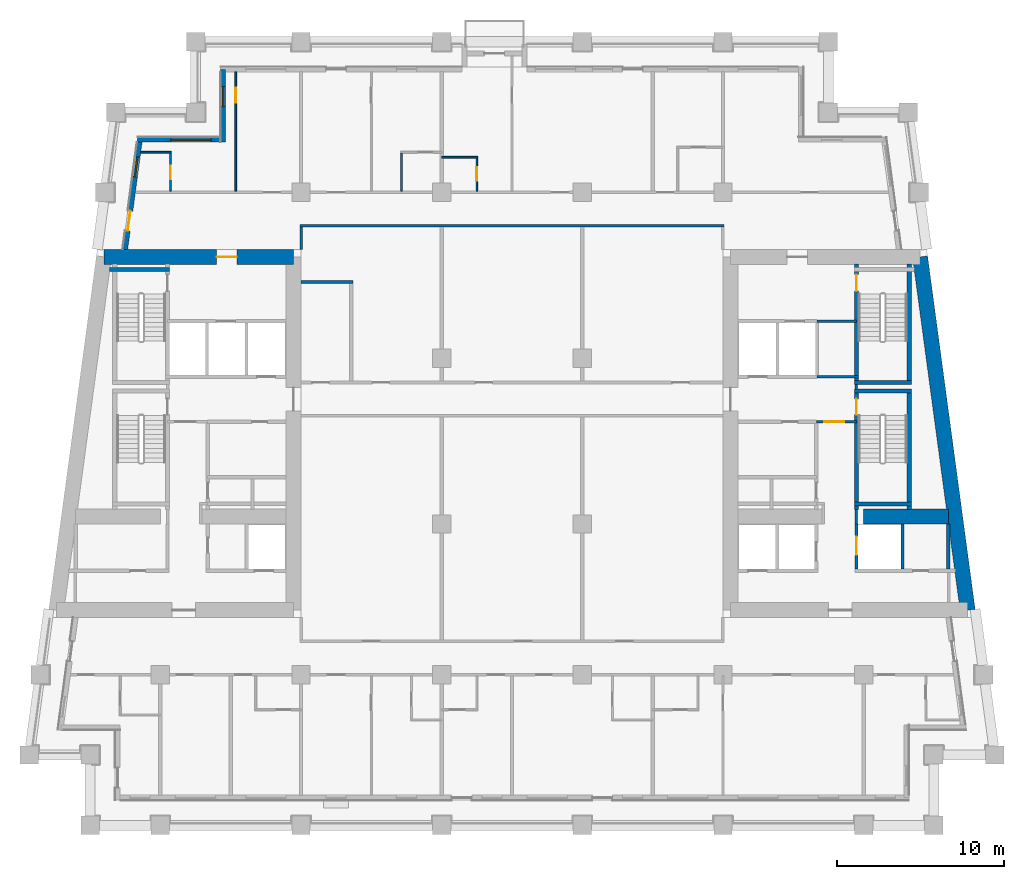
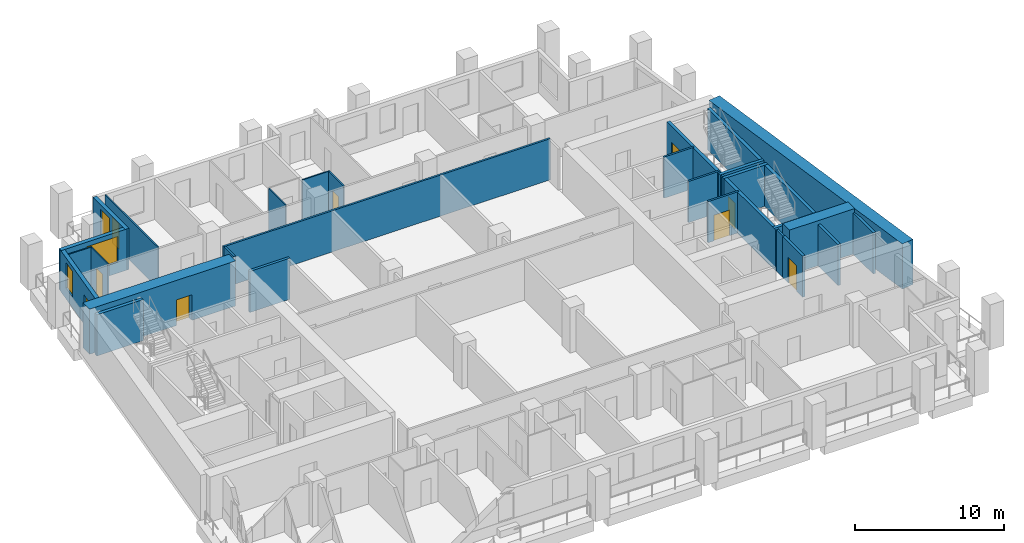
# One storey, part 6 of 13: 31 walls, 9 doors, 3 windows, 12 openings.
"""IFC4 building model written with IfcOpenShell, lengths in metres."""

import ifcopenshell
import ifcopenshell.guid

model = None  # the IFC model being written
_history = None  # IfcOwnerHistory: only IFC2X3 demands one
_inside = {}  # id of a spatial element -> (the spatial element, [elements in it])
_under = {}  # id of a project, library or spatial element -> (it, [spatial elements below it])
_declared = {}  # id of a project -> (the project, [libraries it declares])
_typed = {}  # id of a type object -> (the type object, [elements of that type])
_made_of = {}  # id of a material, layer set ... -> (it, [elements and type objects made of it])


def new_model(schema):
    """Start an empty IFC model of exactly this schema.

    Asked for "IFC4X3", IfcOpenShell would pick the latest addendum, in which some entities
    have other attributes; the version numbers below select the first issue.
    IFC2X3 requires an IfcOwnerHistory on every rooted entity: one is made here for all.
    """
    global model, _history
    if schema == "IFC4X3":
        model = ifcopenshell.file(schema_version=(4, 3, 0, 0))
    else:
        model = ifcopenshell.file(schema=schema)
    _inside.clear()
    _under.clear()
    _declared.clear()
    _typed.clear()
    _made_of.clear()
    _history = None
    if model.schema == "IFC2X3":
        org = make("IfcOrganization", Name="unknown")
        user = make(
            "IfcPersonAndOrganization",
            ThePerson=make("IfcPerson", FamilyName="unknown"),
            TheOrganization=org,
        )
        app = make(
            "IfcApplication",
            ApplicationDeveloper=org,
            Version="unknown",
            ApplicationFullName="unknown",
            ApplicationIdentifier="unknown",
        )
        _history = make(
            "IfcOwnerHistory",
            OwningUser=user,
            OwningApplication=app,
            ChangeAction="ADDED",
            CreationDate=0,
        )
    return model


def make(cls, **values):
    """One entity of the class cls with the attributes given. An attribute that is None is left unset."""
    return model.create_entity(
        cls, **{name: value for name, value in values.items() if value is not None}
    )


def rooted(cls, **values):
    """An entity with a GlobalId (a new one), such as an element, a storey or a relation."""
    return make(cls, GlobalId=ifcopenshell.guid.new(), OwnerHistory=_history, **values)


def si_unit(unit_type, name, prefix=None):
    """IfcSIUnit, for example si_unit("LENGTHUNIT", "METRE", prefix="MILLI")."""
    return make("IfcSIUnit", UnitType=unit_type, Prefix=prefix, Name=name)


def assignment(units):
    """IfcUnitAssignment: the units of a project."""
    return None if units is None else make("IfcUnitAssignment", Units=units)


def point(xyz):
    """IfcCartesianPoint."""
    return None if xyz is None else make("IfcCartesianPoint", Coordinates=xyz)


def direction(xyz):
    """IfcDirection."""
    return None if xyz is None else make("IfcDirection", DirectionRatios=xyz)


def frame(location, z_axis=None, x_axis=None):
    """IfcAxis2Placement3D, a coordinate frame: its origin and axes. An axis left out is left unset."""
    return make(
        "IfcAxis2Placement3D",
        Location=point(location),
        Axis=direction(z_axis),
        RefDirection=direction(x_axis),
    )


def frame_2d(location, x_axis=None):
    """IfcAxis2Placement2D, a coordinate frame in the plane: its origin and x axis."""
    return make(
        "IfcAxis2Placement2D", Location=point(location), RefDirection=direction(x_axis)
    )


def origin():
    """The frame at (0, 0, 0) with its axes left unset."""
    return frame((0.0, 0.0, 0.0))


def place(relative_to, where):
    """IfcLocalPlacement: puts the frame where relative to a parent placement (None: the world)."""
    return make(
        "IfcLocalPlacement", PlacementRelTo=relative_to, RelativePlacement=where
    )


def context(
    kind, dimensions, precision=None, world=None, true_north=None, identifier=None
):
    """IfcGeometricRepresentationContext, for example the 3D "Model" context."""
    return make(
        "IfcGeometricRepresentationContext",
        ContextIdentifier=identifier,
        ContextType=kind,
        CoordinateSpaceDimension=dimensions,
        Precision=precision,
        WorldCoordinateSystem=world,
        TrueNorth=true_north,
    )


def subcontext(parent, identifier, kind, view, scale=None):
    """IfcGeometricRepresentationSubContext, for example "Body" below "Model"."""
    return make(
        "IfcGeometricRepresentationSubContext",
        ContextIdentifier=identifier,
        ContextType=kind,
        ParentContext=parent,
        TargetScale=scale,
        TargetView=view,
    )


def project(units=None, contexts=None):
    """IfcProject with its units and contexts."""
    return rooted(
        "IfcProject",
        Name="project",
        RepresentationContexts=contexts,
        UnitsInContext=assignment(units),
    )


def spatial(cls, under=None, at=None, **own):
    """A site, building, storey or space (cls), placed at a placement, below another one or the project."""
    s = rooted(cls, ObjectPlacement=at, **own)
    if under is not None:
        _under.setdefault(under.id(), (under, []))[1].append(s)
    return s


def profile(cls, at=None, kind="AREA", **sizes):
    """A parametric profile (cls). Its sizes go by their IFC names, for example OverallWidth=200.0."""
    return make(cls, ProfileType=kind, Position=at, **sizes)


def rectangle(**sizes):
    """IfcRectangleProfileDef."""
    return profile("IfcRectangleProfileDef", **sizes)


def extrude(swept, where, along, depth):
    """IfcExtrudedAreaSolid: the profile swept, set in the frame where, extruded along a direction by depth."""
    return make(
        "IfcExtrudedAreaSolid",
        SweptArea=swept,
        Position=where,
        ExtrudedDirection=direction(along),
        Depth=depth,
    )


def shape(context_of_items, identifier, shape_type, items):
    """IfcShapeRepresentation: the items that make up one representation, for example the "Body"."""
    return make(
        "IfcShapeRepresentation",
        ContextOfItems=context_of_items,
        RepresentationIdentifier=identifier,
        RepresentationType=shape_type,
        Items=items,
    )


def material(Name=None, Category=None):
    """IfcMaterial."""
    return make("IfcMaterial", Name=Name, Category=Category)


def layer(
    of_material, thickness, ventilated=None, Name=None, Category=None, Priority=None
):
    """IfcMaterialLayer: one layer of a wall or slab, of a material (None: an air gap)."""
    return make(
        "IfcMaterialLayer",
        Material=of_material,
        LayerThickness=thickness,
        IsVentilated=ventilated,
        Name=Name,
        Category=Category,
        Priority=Priority,
    )


def layer_set(layers, Name=None):
    """IfcMaterialLayerSet."""
    return make("IfcMaterialLayerSet", MaterialLayers=layers, LayerSetName=Name)


def made_of(thing, what):
    """Note that an element or type object is made of a material, layer set ...; save() writes the relation."""
    if what is not None:
        _made_of.setdefault(what.id(), (what, []))[1].append(thing)
    return thing


def type_object(cls, material=None, **own):
    """A type object (cls), such as IfcWallType, which elements share."""
    return made_of(rooted(cls, **own), material)


def element(
    cls,
    number,
    at=None,
    inside=None,
    cuts=None,
    type_object=None,
    material=None,
    context=None,
    identifier="Body",
    shape_type=None,
    held_by="IfcProductDefinitionShape",
    body=None,
    shapes=None,
    **own,
):
    """One element of the class cls, such as IfcWall. Its Tag is "e" and its number.

    at: its placement. inside: the storey or other place that contains it. cuts: it is an
    opening in that element (IfcRelVoidsElement). A single representation is given by context,
    identifier, shape_type and body (its items); several are given by shapes. held_by: the class
    of the entity that holds the representations. save() writes the other relations.
    """
    e = rooted(cls, Tag="e%d" % number, ObjectPlacement=at, **own)
    if body is not None:
        shapes = [shape(context, identifier, shape_type, body)]
    if shapes is not None:
        e.Representation = make(held_by, Representations=shapes)
    if inside is not None:
        _inside.setdefault(inside.id(), (inside, []))[1].append(e)
    if cuts is not None:
        rooted(
            "IfcRelVoidsElement", RelatingBuildingElement=cuts, RelatedOpeningElement=e
        )
    if type_object is not None:
        _typed.setdefault(type_object.id(), (type_object, []))[1].append(e)
    return made_of(e, material)


def fill(opening, filler):
    """IfcRelFillsElement: the door or window that sits in an opening."""
    return rooted(
        "IfcRelFillsElement",
        RelatingOpeningElement=opening,
        RelatedBuildingElement=filler,
    )


def aggregate(whole, parts):
    """IfcRelAggregates: a whole, such as a stair, and the parts it consists of."""
    return rooted("IfcRelAggregates", RelatingObject=whole, RelatedObjects=parts)


def save(model, path):
    """Write the relations noted so far, then the file.

    IfcRelAggregates (storeys below a building ...), IfcRelContainedInSpatialStructure (elements
    in a storey), IfcRelDefinesByType, IfcRelAssociatesMaterial and IfcRelDeclares: one each for
    every whole, place, type object, material and project.
    """
    for whole, parts in _under.values():
        aggregate(whole, parts)
    for where, things in _inside.values():
        rooted(
            "IfcRelContainedInSpatialStructure",
            RelatedElements=things,
            RelatingStructure=where,
        )
    for kind, things in _typed.values():
        rooted("IfcRelDefinesByType", RelatedObjects=things, RelatingType=kind)
    for what, things in _made_of.values():
        rooted("IfcRelAssociatesMaterial", RelatedObjects=things, RelatingMaterial=what)
    for by, libraries in _declared.values():
        rooted("IfcRelDeclares", RelatingContext=by, RelatedDefinitions=libraries)
    model.write(path)


model = new_model("IFC4")

# Units and contexts
model_context = context("Model", 3, precision=1e-05, world=origin(), true_north=direction((0.0, 1.0)))
body_context = subcontext(model_context, "Body", "Model", "MODEL_VIEW")
ifc_project = project(units=[si_unit("LENGTHUNIT", "METRE"), si_unit("AREAUNIT", "SQUARE_METRE"), si_unit("VOLUMEUNIT", "CUBIC_METRE"), si_unit("PLANEANGLEUNIT", "RADIAN"), si_unit("MASSUNIT", "GRAM", prefix="KILO")], contexts=[model_context])

# Site, building, storey
site_placement = place(None, origin())
site = spatial("IfcSite", under=ifc_project, at=site_placement, CompositionType="ELEMENT")
building_placement = place(site_placement, origin())
building = spatial("IfcBuilding", under=site, at=building_placement, Name="Candeia Pilgrim Tower and Theatre", CompositionType="ELEMENT")
storey_placement = place(building_placement, frame((0.0, 0.0, 170.0)))
storey = spatial("IfcBuildingStorey", under=building, at=storey_placement, Name="L40", CompositionType="ELEMENT", Elevation=170.0)

# Wall, opening, door
ifc_material_1 = material(Name="Concrete C60/75", Category="concrete")
ifc_layer_1 = layer(ifc_material_1, 0.89990234375)
ifc_layer_set_1 = layer_set([ifc_layer_1], Name="Core wall 900 C60/75")
wall_type_1 = type_object("IfcWallType", Name="Core wall 900 C60/75", PredefinedType="SHEAR", material=ifc_layer_set_1)
wall_1_placement = place(storey_placement, frame((89.024169921875, 131.949951171875, 0.0), z_axis=(0.0, 0.0, 1.0), x_axis=(1.0, 0.0, 0.0)))
wall_1 = element("IfcWall", 1, at=wall_1_placement, inside=storey, type_object=wall_type_1, Name="Core wall W1", PredefinedType="SHEAR", context=body_context, shape_type="SweptSolid", body=[
    extrude(rectangle(XDim=11.325927734375, YDim=0.89990234375, at=frame_2d((5.6630859375, 0.0))), origin(), (0.0, 0.0, 1.0), 3.699951171875),
])
opening_1_placement = place(wall_1_placement, frame((6.7392578125, 0.0, 0.0)))
opening_1 = element("IfcOpeningElement", 2, at=opening_1_placement, cuts=wall_1, Name="Opening L40-D051", PredefinedType="OPENING", context=body_context, shape_type="SweptSolid", body=[
    extrude(rectangle(XDim=1.199951171875, YDim=2.10009765625, at=frame_2d((0.60009765625, 1.050048828125))), frame((0.0, 0.4599609375, 0.0), z_axis=(0.0, -1.0, 0.0), x_axis=(1.0, 0.0, 0.0)), (0.0, 0.0, 1.0), 0.919921875),
])
ifc_material_2 = material(Name="Steel fire door set", Category="steel")
door_type_1 = type_object("IfcDoorType", Name="D-1200-FD60", OperationType="NOTDEFINED", PredefinedType="DOOR", material=ifc_material_2)
door_1_placement = place(opening_1_placement, origin())
door_1 = element("IfcDoor", 3, at=door_1_placement, inside=storey, type_object=door_type_1, Name="Door L40-D051", OperationType="SINGLE_SWING_LEFT", OverallHeight=2.10009765625, OverallWidth=1.199951171875, PredefinedType="DOOR", context=body_context, shape_type="SweptSolid", body=[
    extrude(rectangle(XDim=1.199951171875, YDim=2.10009765625, at=frame_2d((0.60009765625, 1.050048828125))), frame((0.0, 0.02490234375, 0.0), z_axis=(0.0, -1.0, 0.0), x_axis=(1.0, 0.0, 0.0)), (0.0, 0.0, 1.0), 0.050048828125),
])
fill(opening_1, door_1)

# Walls
wall_2_placement = place(storey_placement, frame((137.775634765625, 131.949951171875, 0.0), z_axis=(0.0, 0.0, 1.0), x_axis=(0.133421759112, -0.991059349482, 0.0)))
element("IfcWall", 4, at=wall_2_placement, inside=storey, type_object=wall_type_1, Name="Core wall E2", PredefinedType="SHEAR", context=body_context, shape_type="SweptSolid", body=[
    extrude(rectangle(XDim=21.290283203125, YDim=0.89990234375, at=frame_2d((10.64501953125, 0.0))), origin(), (0.0, 0.0, 1.0), 3.699951171875),
])
wall_3_placement = place(storey_placement, frame((134.39990234375, 116.449951171875, 0.0), z_axis=(0.0, 0.0, 1.0), x_axis=(1.0, 0.0, 0.0)))
element("IfcWall", 5, at=wall_3_placement, inside=storey, type_object=wall_type_1, Name="Core wall E6", PredefinedType="SHEAR", context=body_context, shape_type="SweptSolid", body=[
    extrude(rectangle(XDim=5.076904296875, YDim=0.89990234375, at=frame_2d((2.53857421875, 0.0))), origin(), (0.0, 0.0, 1.0), 3.699951171875),
])

# Wall, opening, window
ifc_material_3 = material(Name="Ceramic block masonry", Category="masonry")
ifc_layer_2 = layer(ifc_material_3, 0.300048828125)
ifc_layer_set_2 = layer_set([ifc_layer_2], Name="EW1 glazing-line wall 300")
wall_type_2 = type_object("IfcWallType", Name="EW1 glazing-line wall 300", PredefinedType="SOLIDWALL", material=ifc_layer_set_2)
wall_4_placement = place(storey_placement, frame((96.14990234375, 143.14990234375, 0.0), z_axis=(0.0, 0.0, 1.0), x_axis=(0.0, -1.0, 0.0)))
wall_4 = element("IfcWall", 6, at=wall_4_placement, inside=storey, type_object=wall_type_2, Name="External wall L40-7.0", PredefinedType="SOLIDWALL", context=body_context, shape_type="SweptSolid", body=[
    extrude(rectangle(XDim=4.349853515625, YDim=0.300048828125, at=frame_2d((2.1748046875, 0.0))), origin(), (0.0, 0.0, 1.0), 3.3798828125),
])
opening_2_placement = place(wall_4_placement, frame((1.02490234375, 0.0, 0.89990234375)))
opening_2 = element("IfcOpeningElement", 7, at=opening_2_placement, cuts=wall_4, Name="Opening W-B", PredefinedType="OPENING", context=body_context, shape_type="SweptSolid", body=[
    extrude(rectangle(XDim=1.199951171875, YDim=2.10009765625, at=frame_2d((0.60009765625, 1.050048828125))), frame((0.0, 0.16015625, 0.0), z_axis=(0.0, -1.0, 0.0), x_axis=(1.0, 0.0, 0.0)), (0.0, 0.0, 1.0), 0.320068359375),
])
ifc_material_4 = material(Name="Aluminium framed double glazing", Category="aluminium")
window_type_1 = type_object("IfcWindowType", Name="W-B window 1200x2100", PartitioningType="SINGLE_PANEL", PredefinedType="WINDOW", material=ifc_material_4)
window_1_placement = place(opening_2_placement, origin())
window_1 = element("IfcWindow", 8, at=window_1_placement, inside=storey, type_object=window_type_1, Name="Window W-B L40", OverallHeight=2.10009765625, OverallWidth=1.199951171875, PartitioningType="SINGLE_PANEL", PredefinedType="WINDOW", context=body_context, shape_type="SweptSolid", body=[
    extrude(rectangle(XDim=1.199951171875, YDim=2.10009765625, at=frame_2d((0.60009765625, 1.050048828125))), frame((0.0, 0.030029296875, 0.0), z_axis=(0.0, -1.0, 0.0), x_axis=(1.0, 0.0, 0.0)), (0.0, 0.0, 1.0), 0.06005859375),
])
fill(opening_2, window_1)

wall_5_placement = place(storey_placement, frame((96.14990234375, 138.949951171875, 0.0), z_axis=(0.0, 0.0, 1.0), x_axis=(-1.0, 0.0, 0.0)))
wall_5 = element("IfcWall", 9, at=wall_5_placement, inside=storey, type_object=wall_type_2, Name="External wall L40-8.0", PredefinedType="SOLIDWALL", context=body_context, shape_type="SweptSolid", body=[
    extrude(rectangle(XDim=5.103759765625, YDim=0.300048828125, at=frame_2d((2.5517578125, 0.0))), origin(), (0.0, 0.0, 1.0), 3.3798828125),
])
opening_3_placement = place(wall_5_placement, frame((0.72509765625, 0.0, 0.89990234375)))
opening_3 = element("IfcOpeningElement", 10, at=opening_3_placement, cuts=wall_5, Name="Opening W-A", PredefinedType="OPENING", context=body_context, shape_type="SweptSolid", body=[
    extrude(rectangle(XDim=2.39990234375, YDim=2.10009765625, at=frame_2d((1.199951171875, 1.050048828125))), frame((0.0, 0.16015625, 0.0), z_axis=(0.0, -1.0, 0.0), x_axis=(1.0, 0.0, 0.0)), (0.0, 0.0, 1.0), 0.320068359375),
])
window_type_2 = type_object("IfcWindowType", Name="W-A window 2400x2100", PartitioningType="DOUBLE_PANEL_VERTICAL", PredefinedType="WINDOW", material=ifc_material_4)
window_2_placement = place(opening_3_placement, origin())
window_2 = element("IfcWindow", 11, at=window_2_placement, inside=storey, type_object=window_type_2, Name="Window W-A L40", OverallHeight=2.10009765625, OverallWidth=2.39990234375, PartitioningType="SINGLE_PANEL", PredefinedType="WINDOW", context=body_context, shape_type="SweptSolid", body=[
    extrude(rectangle(XDim=2.39990234375, YDim=2.10009765625, at=frame_2d((1.199951171875, 1.050048828125))), frame((0.0, 0.030029296875, 0.0), z_axis=(0.0, -1.0, 0.0), x_axis=(1.0, 0.0, 0.0)), (0.0, 0.0, 1.0), 0.06005859375),
])
fill(opening_3, window_2)

# Wall, openings, door, window
wall_6_placement = place(storey_placement, frame((91.177490234375, 138.949951171875, 0.0), z_axis=(0.0, 0.0, 1.0), x_axis=(-0.133426664613, -0.991058689065, 0.0)))
wall_6 = element("IfcWall", 12, at=wall_6_placement, inside=storey, type_object=wall_type_2, Name="External wall L40-9.0", PredefinedType="SOLIDWALL", context=body_context, shape_type="SweptSolid", body=[
    extrude(rectangle(XDim=6.609130859375, YDim=0.300048828125, at=frame_2d((3.3046875, 0.0))), origin(), (0.0, 0.0, 1.0), 3.3798828125),
])
opening_4_placement = place(wall_6_placement, frame((1.039306640625, 0.0, 0.89990234375)))
opening_4 = element("IfcOpeningElement", 13, at=opening_4_placement, cuts=wall_6, Name="Opening W-B", PredefinedType="OPENING", context=body_context, shape_type="SweptSolid", body=[
    extrude(rectangle(XDim=1.199951171875, YDim=2.10009765625, at=frame_2d((0.60009765625, 1.050048828125))), frame((0.0, 0.16015625, 0.0), z_axis=(0.0, -1.0, 0.0), x_axis=(1.0, 0.0, 0.0)), (0.0, 0.0, 1.0), 0.320068359375),
])
opening_5_placement = place(wall_6_placement, frame((4.293701171875, 0.0, 0.0)))
opening_5 = element("IfcOpeningElement", 14, at=opening_5_placement, cuts=wall_6, Name="Opening L40-ED389", PredefinedType="OPENING", context=body_context, shape_type="SweptSolid", body=[
    extrude(rectangle(XDim=1.199951171875, YDim=2.39990234375, at=frame_2d((0.60009765625, 1.199951171875))), frame((0.0, 0.16015625, 0.0), z_axis=(0.0, -1.0, 0.0), x_axis=(1.0, 0.0, 0.0)), (0.0, 0.0, 1.0), 0.320068359375),
])
ifc_material_5 = material(Name="Aluminium framed glazed door", Category="aluminium")
door_type_2 = type_object("IfcDoorType", Name="Loggia door 1200x2400", OperationType="DOUBLE_DOOR_SINGLE_SWING", PredefinedType="DOOR", material=ifc_material_5)
door_2_placement = place(opening_5_placement, origin())
door_2 = element("IfcDoor", 15, at=door_2_placement, inside=storey, type_object=door_type_2, Name="Loggia door L40-ED389", OperationType="DOUBLE_DOOR_SINGLE_SWING", OverallHeight=2.39990234375, OverallWidth=1.199951171875, PredefinedType="DOOR", context=body_context, shape_type="SweptSolid", body=[
    extrude(rectangle(XDim=1.199951171875, YDim=2.39990234375, at=frame_2d((0.60009765625, 1.199951171875))), frame((0.0, 0.02490234375, 0.0), z_axis=(0.0, -1.0, 0.0), x_axis=(1.0, 0.0, 0.0)), (0.0, 0.0, 1.0), 0.050048828125),
])
fill(opening_5, door_2)
window_3_placement = place(opening_4_placement, origin())
window_3 = element("IfcWindow", 16, at=window_3_placement, inside=storey, type_object=window_type_1, Name="Window W-B L40", OverallHeight=2.10009765625, OverallWidth=1.199951171875, PartitioningType="SINGLE_PANEL", PredefinedType="WINDOW", context=body_context, shape_type="SweptSolid", body=[
    extrude(rectangle(XDim=1.199951171875, YDim=2.10009765625, at=frame_2d((0.60009765625, 1.050048828125))), frame((0.0, 0.030029296875, 0.0), z_axis=(0.0, -1.0, 0.0), x_axis=(1.0, 0.0, 0.0)), (0.0, 0.0, 1.0), 0.06005859375),
])
fill(opening_4, window_3)

# Walls
ifc_material_6 = material(Name="Gypsum board partition on steel studs", Category="steel")
ifc_layer_3 = layer(ifc_material_6, 0.10009765625)
ifc_layer_set_3 = layer_set([ifc_layer_3], Name="PW-100 room partition")
wall_type_3 = type_object("IfcWallType", Name="PW-100 room partition", PredefinedType="PARTITIONING", material=ifc_layer_set_3)
wall_7_placement = place(storey_placement, frame((109.199951171875, 137.89990234375, 0.0), z_axis=(0.0, 0.0, 1.0), x_axis=(1.0, 0.0, 0.0)))
element("IfcWall", 17, at=wall_7_placement, inside=storey, type_object=wall_type_3, Name="Room partition L40-043", PredefinedType="PARTITIONING", context=body_context, shape_type="SweptSolid", body=[
    extrude(rectangle(XDim=2.150146484375, YDim=0.10009765625, at=frame_2d((1.0751953125, 0.0))), origin(), (0.0, 0.0, 1.0), 3.3798828125),
])
wall_8_placement = place(storey_placement, frame((91.2177734375, 138.199951171875, 0.0), z_axis=(0.0, 0.0, 1.0), x_axis=(1.0, 0.0, 0.0)))
element("IfcWall", 18, at=wall_8_placement, inside=storey, type_object=wall_type_3, Name="Room partition L40-044", PredefinedType="PARTITIONING", context=body_context, shape_type="SweptSolid", body=[
    extrude(rectangle(XDim=1.832275390625, YDim=0.10009765625, at=frame_2d((0.916015625, 0.0))), origin(), (0.0, 0.0, 1.0), 3.3798828125),
])

# Wall, opening, door
wall_9_placement = place(storey_placement, frame((93.0, 135.875, 0.0), z_axis=(0.0, 0.0, 1.0), x_axis=(0.0, 1.0, 0.0)))
wall_9 = element("IfcWall", 19, at=wall_9_placement, inside=storey, type_object=wall_type_3, Name="Room partition L40-058", PredefinedType="PARTITIONING", context=body_context, shape_type="SweptSolid", body=[
    extrude(rectangle(XDim=2.27490234375, YDim=0.10009765625, at=frame_2d((1.137451171875, 0.0))), origin(), (0.0, 0.0, 1.0), 3.3798828125),
])
opening_6_placement = place(wall_9_placement, frame((0.72509765625, 0.0, 0.0)))
opening_6 = element("IfcOpeningElement", 20, at=opening_6_placement, cuts=wall_9, Name="Opening L40-D033", PredefinedType="OPENING", context=body_context, shape_type="SweptSolid", body=[
    extrude(rectangle(XDim=0.800048828125, YDim=2.10009765625, at=frame_2d((0.39990234375, 1.050048828125))), frame((0.0, 0.06005859375, 0.0), z_axis=(0.0, -1.0, 0.0), x_axis=(1.0, 0.0, 0.0)), (0.0, 0.0, 1.0), 0.1201171875),
])
ifc_material_7 = material(Name="Timber door leaf", Category="wood")
door_type_3 = type_object("IfcDoorType", Name="D-800", OperationType="NOTDEFINED", PredefinedType="DOOR", material=ifc_material_7)
door_3_placement = place(opening_6_placement, origin())
door_3 = element("IfcDoor", 21, at=door_3_placement, inside=storey, type_object=door_type_3, Name="Door L40-D033", OperationType="SINGLE_SWING_LEFT", OverallHeight=2.10009765625, OverallWidth=0.800048828125, PredefinedType="DOOR", context=body_context, shape_type="SweptSolid", body=[
    extrude(rectangle(XDim=0.800048828125, YDim=2.10009765625, at=frame_2d((0.39990234375, 1.050048828125))), frame((0.0, 0.02490234375, 0.0), z_axis=(0.0, -1.0, 0.0), x_axis=(1.0, 0.0, 0.0)), (0.0, 0.0, 1.0), 0.050048828125),
])
fill(opening_6, door_3)

wall_10_placement = place(storey_placement, frame((96.89990234375, 135.875, 0.0), z_axis=(0.0, 0.0, 1.0), x_axis=(0.0, 1.0, 0.0)))
wall_10 = element("IfcWall", 22, at=wall_10_placement, inside=storey, type_object=wall_type_3, Name="Room partition L40-064", PredefinedType="PARTITIONING", context=body_context, shape_type="SweptSolid", body=[
    extrude(rectangle(XDim=7.135009765625, YDim=0.10009765625, at=frame_2d((3.5673828125, 0.0))), origin(), (0.0, 0.0, 1.0), 3.3798828125),
])
opening_7_placement = place(wall_10_placement, frame((5.2900390625, 0.0, 0.0)))
opening_7 = element("IfcOpeningElement", 23, at=opening_7_placement, cuts=wall_10, Name="Opening L40-D032", PredefinedType="OPENING", context=body_context, shape_type="SweptSolid", body=[
    extrude(rectangle(XDim=0.89990234375, YDim=2.10009765625, at=frame_2d((0.449951171875, 1.050048828125))), frame((0.0, 0.06005859375, 0.0), z_axis=(0.0, -1.0, 0.0), x_axis=(1.0, 0.0, 0.0)), (0.0, 0.0, 1.0), 0.1201171875),
])
door_type_4 = type_object("IfcDoorType", Name="D-900", OperationType="NOTDEFINED", PredefinedType="DOOR", material=ifc_material_7)
door_4_placement = place(opening_7_placement, origin())
door_4 = element("IfcDoor", 24, at=door_4_placement, inside=storey, type_object=door_type_4, Name="Door L40-D032", OperationType="SINGLE_SWING_RIGHT", OverallHeight=2.10009765625, OverallWidth=0.89990234375, PredefinedType="DOOR", context=body_context, shape_type="SweptSolid", body=[
    extrude(rectangle(XDim=0.89990234375, YDim=2.10009765625, at=frame_2d((0.449951171875, 1.050048828125))), frame((0.0, 0.02490234375, 0.0), z_axis=(0.0, -1.0, 0.0), x_axis=(1.0, 0.0, 0.0)), (0.0, 0.0, 1.0), 0.050048828125),
])
fill(opening_7, door_4)

# Wall
wall_11_placement = place(storey_placement, frame((106.800048828125, 135.875, 0.0), z_axis=(0.0, 0.0, 1.0), x_axis=(0.0, 1.0, 0.0)))
element("IfcWall", 25, at=wall_11_placement, inside=storey, type_object=wall_type_3, Name="Room partition L40-076", PredefinedType="PARTITIONING", context=body_context, shape_type="SweptSolid", body=[
    extrude(rectangle(XDim=2.27490234375, YDim=0.10009765625, at=frame_2d((1.137451171875, 0.0))), origin(), (0.0, 0.0, 1.0), 3.3798828125),
])

# Wall, opening, door
wall_12_placement = place(storey_placement, frame((111.300048828125, 135.875, 0.0), z_axis=(0.0, 0.0, 1.0), x_axis=(0.0, 1.0, 0.0)))
wall_12 = element("IfcWall", 26, at=wall_12_placement, inside=storey, type_object=wall_type_3, Name="Room partition L40-083", PredefinedType="PARTITIONING", context=body_context, shape_type="SweptSolid", body=[
    extrude(rectangle(XDim=1.97509765625, YDim=0.10009765625, at=frame_2d((0.987548828125, 0.0))), origin(), (0.0, 0.0, 1.0), 3.3798828125),
])
opening_8_placement = place(wall_12_placement, frame((0.635009765625, 0.0, 0.0)))
opening_8 = element("IfcOpeningElement", 27, at=opening_8_placement, cuts=wall_12, Name="Opening L40-D039", PredefinedType="OPENING", context=body_context, shape_type="SweptSolid", body=[
    extrude(rectangle(XDim=0.800048828125, YDim=2.10009765625, at=frame_2d((0.39990234375, 1.050048828125))), frame((0.0, 0.06005859375, 0.0), z_axis=(0.0, -1.0, 0.0), x_axis=(1.0, 0.0, 0.0)), (0.0, 0.0, 1.0), 0.1201171875),
])
door_5_placement = place(opening_8_placement, origin())
door_5 = element("IfcDoor", 28, at=door_5_placement, inside=storey, type_object=door_type_3, Name="Door L40-D039", OperationType="SINGLE_SWING_LEFT", OverallHeight=2.10009765625, OverallWidth=0.800048828125, PredefinedType="DOOR", context=body_context, shape_type="SweptSolid", body=[
    extrude(rectangle(XDim=0.800048828125, YDim=2.10009765625, at=frame_2d((0.39990234375, 1.050048828125))), frame((0.0, 0.02490234375, 0.0), z_axis=(0.0, -1.0, 0.0), x_axis=(1.0, 0.0, 0.0)), (0.0, 0.0, 1.0), 0.050048828125),
])
fill(opening_8, door_5)

ifc_layer_4 = layer(ifc_material_6, 0.14990234375)
ifc_layer_set_4 = layer_set([ifc_layer_4], Name="PW-150 lobby wall")
wall_type_4 = type_object("IfcWallType", Name="PW-150 lobby wall", PredefinedType="PARTITIONING", material=ifc_layer_set_4)
wall_13_placement = place(storey_placement, frame((131.572998046875, 122.10009765625, 0.0), z_axis=(0.0, 0.0, 1.0), x_axis=(1.0, 0.0, 0.0)))
wall_13 = element("IfcWall", 29, at=wall_13_placement, inside=storey, type_object=wall_type_4, Name="Lobby wall L40-025", PredefinedType="PARTITIONING", context=body_context, shape_type="SweptSolid", body=[
    extrude(rectangle(XDim=2.39990234375, YDim=0.14990234375, at=frame_2d((1.199951171875, 0.0))), origin(), (0.0, 0.0, 1.0), 3.3798828125),
])
opening_9_placement = place(wall_13_placement, frame((0.47509765625, 0.0, 0.0)))
opening_9 = element("IfcOpeningElement", 30, at=opening_9_placement, cuts=wall_13, Name="Opening L40-D008", PredefinedType="OPENING", context=body_context, shape_type="SweptSolid", body=[
    extrude(rectangle(XDim=1.199951171875, YDim=2.10009765625, at=frame_2d((0.60009765625, 1.050048828125))), frame((0.0, 0.0849609375, 0.0), z_axis=(0.0, -1.0, 0.0), x_axis=(1.0, 0.0, 0.0)), (0.0, 0.0, 1.0), 0.169921875),
])
door_6_placement = place(opening_9_placement, origin())
door_6 = element("IfcDoor", 31, at=door_6_placement, inside=storey, type_object=door_type_1, Name="Door L40-D008", OperationType="SINGLE_SWING_LEFT", OverallHeight=2.10009765625, OverallWidth=1.199951171875, PredefinedType="DOOR", context=body_context, shape_type="SweptSolid", body=[
    extrude(rectangle(XDim=1.199951171875, YDim=2.10009765625, at=frame_2d((0.60009765625, 1.050048828125))), frame((0.0, 0.02490234375, 0.0), z_axis=(0.0, -1.0, 0.0), x_axis=(1.0, 0.0, 0.0)), (0.0, 0.0, 1.0), 0.050048828125),
])
fill(opening_9, door_6)

# Walls
wall_14_placement = place(storey_placement, frame((131.615234375, 124.800048828125, 0.0), z_axis=(0.0, 0.0, 1.0), x_axis=(1.0, 0.0, 0.0)))
element("IfcWall", 32, at=wall_14_placement, inside=storey, type_object=wall_type_4, Name="Lobby wall L40-034", PredefinedType="PARTITIONING", context=body_context, shape_type="SweptSolid", body=[
    extrude(rectangle(XDim=2.482666015625, YDim=0.14990234375, at=frame_2d((1.2412109375, 0.0))), origin(), (0.0, 0.0, 1.0), 3.3798828125),
])
wall_15_placement = place(storey_placement, frame((131.615234375, 128.10009765625, 0.0), z_axis=(0.0, 0.0, 1.0), x_axis=(1.0, 0.0, 0.0)))
element("IfcWall", 33, at=wall_15_placement, inside=storey, type_object=wall_type_4, Name="Lobby wall L40-037", PredefinedType="PARTITIONING", context=body_context, shape_type="SweptSolid", body=[
    extrude(rectangle(XDim=2.357666015625, YDim=0.14990234375, at=frame_2d((1.1787109375, 0.0))), origin(), (0.0, 0.0, 1.0), 3.3798828125),
])
wall_16_placement = place(storey_placement, frame((133.972900390625, 116.0, 0.0), z_axis=(0.0, 0.0, 1.0), x_axis=(0.0, 1.0, 0.0)))
element("IfcWall", 34, at=wall_16_placement, inside=storey, type_object=wall_type_4, Name="Lobby wall L40-105", PredefinedType="PARTITIONING", context=body_context, shape_type="SweptSolid", body=[
    extrude(rectangle(XDim=0.8701171875, YDim=0.14990234375, at=frame_2d((0.43505859375, 0.0))), origin(), (0.0, 0.0, 1.0), 3.3798828125),
])
wall_17_placement = place(storey_placement, frame((133.972900390625, 124.074951171875, 0.0), z_axis=(0.0, 0.0, 1.0), x_axis=(0.0, 1.0, 0.0)))
element("IfcWall", 35, at=wall_17_placement, inside=storey, type_object=wall_type_4, Name="Lobby wall L40-106", PredefinedType="PARTITIONING", context=body_context, shape_type="SweptSolid", body=[
    extrude(rectangle(XDim=0.25, YDim=0.14990234375, at=frame_2d((0.125, 0.0))), origin(), (0.0, 0.0, 1.0), 3.3798828125),
])
ifc_layer_5 = layer(ifc_material_6, 0.14990234375)
ifc_layer_set_5 = layer_set([ifc_layer_5], Name="PW-150 unit wall")
wall_type_5 = type_object("IfcWallType", Name="PW-150 unit wall", PredefinedType="PARTITIONING", material=ifc_layer_set_5)
wall_18_placement = place(storey_placement, frame((100.72509765625, 133.800048828125, 0.0), z_axis=(0.0, 0.0, 1.0), x_axis=(1.0, 0.0, 0.0)))
element("IfcWall", 36, at=wall_18_placement, inside=storey, type_object=wall_type_5, Name="Unit wall L40-041", PredefinedType="PARTITIONING", context=body_context, shape_type="SweptSolid", body=[
    extrude(rectangle(XDim=25.349853515625, YDim=0.14990234375, at=frame_2d((12.6748046875, 0.0))), origin(), (0.0, 0.0, 1.0), 3.3798828125),
])
wall_19_placement = place(storey_placement, frame((100.800048828125, 132.39990234375, 0.0), z_axis=(0.0, 0.0, 1.0), x_axis=(0.0, 1.0, 0.0)))
element("IfcWall", 37, at=wall_19_placement, inside=storey, type_object=wall_type_5, Name="Unit wall L40-072", PredefinedType="PARTITIONING", context=body_context, shape_type="SweptSolid", body=[
    extrude(rectangle(XDim=1.3251953125, YDim=0.14990234375, at=frame_2d((0.66259765625, 0.0))), origin(), (0.0, 0.0, 1.0), 3.3798828125),
])
ifc_layer_6 = layer(ifc_material_6, 0.199951171875)
ifc_layer_set_6 = layer_set([ifc_layer_6], Name="PW-200 party wall")
wall_type_6 = type_object("IfcWallType", Name="PW-200 party wall", PredefinedType="PARTITIONING", material=ifc_layer_set_6)
wall_20_placement = place(storey_placement, frame((100.800048828125, 130.449951171875, 0.0), z_axis=(0.0, 0.0, 1.0), x_axis=(1.0, 0.0, 0.0)))
element("IfcWall", 38, at=wall_20_placement, inside=storey, type_object=wall_type_6, Name="Party wall L40-038", PredefinedType="PARTITIONING", context=body_context, shape_type="SweptSolid", body=[
    extrude(rectangle(XDim=3.099853515625, YDim=0.199951171875, at=frame_2d((1.5498046875, 0.0))), origin(), (0.0, 0.0, 1.0), 3.3798828125),
])

# Wall, opening, door
ifc_material_8 = material(Name="Concrete C40/50", Category="concrete")
ifc_layer_7 = layer(ifc_material_8, 0.199951171875)
ifc_layer_set_7 = layer_set([ifc_layer_7], Name="SW-200 shaft wall")
wall_type_7 = type_object("IfcWallType", Name="SW-200 shaft wall", PredefinedType="PARTITIONING", material=ifc_layer_set_7)
wall_21_placement = place(storey_placement, frame((133.972900390625, 113.300048828125, 0.0), z_axis=(0.0, 0.0, 1.0), x_axis=(0.0, 1.0, 0.0)))
wall_21 = element("IfcWall", 39, at=wall_21_placement, inside=storey, type_object=wall_type_7, Name="Shaft wall L40-104", PredefinedType="PARTITIONING", context=body_context, shape_type="SweptSolid", body=[
    extrude(rectangle(XDim=2.699951171875, YDim=0.199951171875, at=frame_2d((1.35009765625, 0.0))), origin(), (0.0, 0.0, 1.0), 3.3798828125),
])
opening_10_placement = place(wall_21_placement, frame((0.85009765625, 0.0, 0.0)))
opening_10 = element("IfcOpeningElement", 40, at=opening_10_placement, cuts=wall_21, Name="Opening L40-LD06", PredefinedType="OPENING", context=body_context, shape_type="SweptSolid", body=[
    extrude(rectangle(XDim=1.10009765625, YDim=2.10009765625, at=frame_2d((0.550048828125, 1.050048828125))), frame((0.0, 0.10986328125, 0.0), z_axis=(0.0, -1.0, 0.0), x_axis=(1.0, 0.0, 0.0)), (0.0, 0.0, 1.0), 0.219970703125),
])
ifc_material_9 = material(Name="Glazed aluminium landing door", Category="aluminium")
door_type_5 = type_object("IfcDoorType", Name="LD-1100-EI120", OperationType="SLIDING_TO_LEFT", PredefinedType="DOOR", material=ifc_material_9)
door_7_placement = place(opening_10_placement, origin())
door_7 = element("IfcDoor", 41, at=door_7_placement, inside=storey, type_object=door_type_5, Name="Landing door 06 L40", OperationType="SLIDING_TO_LEFT", OverallHeight=2.10009765625, OverallWidth=1.10009765625, PredefinedType="DOOR", context=body_context, shape_type="SweptSolid", body=[
    extrude(rectangle(XDim=1.10009765625, YDim=2.10009765625, at=frame_2d((0.550048828125, 1.050048828125))), frame((0.0, 0.02490234375, 0.0), z_axis=(0.0, -1.0, 0.0), x_axis=(1.0, 0.0, 0.0)), (0.0, 0.0, 1.0), 0.050048828125),
])
fill(opening_10, door_7)

# Walls
for number, where, z_axis, x_axis, name in (
    (42, (136.722412109375, 113.300048828125, 0.0), (0.0, 0.0, 1.0), (0.0, 1.0, 0.0), "Shaft wall L40-110"),
    (43, (139.44970703125, 113.300048828125, 0.0), (0.0, 0.0, 1.0), (0.0, 1.0, 0.0), "Shaft wall L40-114"),
):
    element("IfcWall", number, at=place(storey_placement, frame(where, z_axis=z_axis, x_axis=x_axis)), inside=storey, type_object=wall_type_7, Name=name, PredefinedType="PARTITIONING", context=body_context, shape_type="SweptSolid", body=[
        extrude(rectangle(XDim=2.699951171875, YDim=0.199951171875, at=frame_2d((1.35009765625, 0.0))), origin(), (0.0, 0.0, 1.0), 3.3798828125),
    ])
ifc_layer_8 = layer(ifc_material_8, 0.25)
ifc_layer_set_8 = layer_set([ifc_layer_8], Name="SW-250 stair wall")
wall_type_8 = type_object("IfcWallType", Name="SW-250 stair wall", PredefinedType="PARTITIONING", material=ifc_layer_set_8)
for number, where, z_axis, x_axis, name in (
    (44, (133.847900390625, 117.199951171875, 0.0), (0.0, 0.0, 1.0), (1.0, 0.0, 0.0), "Stair wall L40-019"),
    (45, (133.847900390625, 123.949951171875, 0.0), (0.0, 0.0, 1.0), (1.0, 0.0, 0.0), "Stair wall L40-028"),
    (46, (133.847900390625, 124.449951171875, 0.0), (0.0, 0.0, 1.0), (1.0, 0.0, 0.0), "Stair wall L40-030"),
):
    element("IfcWall", number, at=place(storey_placement, frame(where, z_axis=z_axis, x_axis=x_axis)), inside=storey, type_object=wall_type_8, Name=name, PredefinedType="PARTITIONING", context=body_context, shape_type="SweptSolid", body=[
        extrude(rectangle(XDim=3.400146484375, YDim=0.25, at=frame_2d((1.7001953125, 0.0))), origin(), (0.0, 0.0, 1.0), 3.3798828125),
    ])
wall_22_placement = place(storey_placement, frame((89.347412109375, 131.199951171875, 0.0), z_axis=(0.0, 0.0, 1.0), x_axis=(1.0, 0.0, 0.0)))
element("IfcWall", 47, at=wall_22_placement, inside=storey, type_object=wall_type_8, Name="Stair wall L40-039", PredefinedType="PARTITIONING", context=body_context, shape_type="SweptSolid", body=[
    extrude(rectangle(XDim=3.6044921875, YDim=0.25, at=frame_2d((1.80224609375, 0.0))), origin(), (0.0, 0.0, 1.0), 3.3798828125),
])

# Wall, opening, door
wall_23_placement = place(storey_placement, frame((133.972900390625, 116.8701171875, 0.0), z_axis=(0.0, 0.0, 1.0), x_axis=(0.0, 1.0, 0.0)))
wall_23 = element("IfcWall", 48, at=wall_23_placement, inside=storey, type_object=wall_type_8, Name="Stair wall L40-107", PredefinedType="PARTITIONING", context=body_context, shape_type="SweptSolid", body=[
    extrude(rectangle(XDim=6.954833984375, YDim=0.25, at=frame_2d((3.4775390625, 0.0))), origin(), (0.0, 0.0, 1.0), 3.3798828125),
])
opening_11_placement = place(wall_23_placement, frame((5.655029296875, 0.0, 0.0)))
opening_11 = element("IfcOpeningElement", 49, at=opening_11_placement, cuts=wall_23, Name="Opening L40-D010", PredefinedType="OPENING", context=body_context, shape_type="SweptSolid", body=[
    extrude(rectangle(XDim=0.949951171875, YDim=2.10009765625, at=frame_2d((0.47509765625, 1.050048828125))), frame((0.0, 0.135009765625, 0.0), z_axis=(0.0, -1.0, 0.0), x_axis=(1.0, 0.0, 0.0)), (0.0, 0.0, 1.0), 0.27001953125),
])
door_type_6 = type_object("IfcDoorType", Name="D-950-FD60", OperationType="NOTDEFINED", PredefinedType="DOOR", material=ifc_material_2)
door_8_placement = place(opening_11_placement, origin())
door_8 = element("IfcDoor", 50, at=door_8_placement, inside=storey, type_object=door_type_6, Name="Door L40-D010", OperationType="SINGLE_SWING_LEFT", OverallHeight=2.10009765625, OverallWidth=0.949951171875, PredefinedType="DOOR", context=body_context, shape_type="SweptSolid", body=[
    extrude(rectangle(XDim=0.949951171875, YDim=2.10009765625, at=frame_2d((0.47509765625, 1.050048828125))), frame((0.0, 0.02490234375, 0.0), z_axis=(0.0, -1.0, 0.0), x_axis=(1.0, 0.0, 0.0)), (0.0, 0.0, 1.0), 0.050048828125),
])
fill(opening_11, door_8)

wall_24_placement = place(storey_placement, frame((133.972900390625, 124.574951171875, 0.0), z_axis=(0.0, 0.0, 1.0), x_axis=(0.0, 1.0, 0.0)))
wall_24 = element("IfcWall", 51, at=wall_24_placement, inside=storey, type_object=wall_type_8, Name="Stair wall L40-108", PredefinedType="PARTITIONING", context=body_context, shape_type="SweptSolid", body=[
    extrude(rectangle(XDim=6.955078125, YDim=0.25, at=frame_2d((3.4775390625, 0.0))), origin(), (0.0, 0.0, 1.0), 3.3798828125),
])
opening_12_placement = place(wall_24_placement, frame((5.324951171875, 0.0, 0.0)))
opening_12 = element("IfcOpeningElement", 52, at=opening_12_placement, cuts=wall_24, Name="Opening L40-D011", PredefinedType="OPENING", context=body_context, shape_type="SweptSolid", body=[
    extrude(rectangle(XDim=1.0, YDim=2.10009765625, at=frame_2d((0.5, 1.050048828125))), frame((0.0, 0.135009765625, 0.0), z_axis=(0.0, -1.0, 0.0), x_axis=(1.0, 0.0, 0.0)), (0.0, 0.0, 1.0), 0.27001953125),
])
door_type_7 = type_object("IfcDoorType", Name="D-1000-FD60", OperationType="NOTDEFINED", PredefinedType="DOOR", material=ifc_material_2)
door_9_placement = place(opening_12_placement, origin())
door_9 = element("IfcDoor", 53, at=door_9_placement, inside=storey, type_object=door_type_7, Name="Door L40-D011", OperationType="SINGLE_SWING_RIGHT", OverallHeight=2.10009765625, OverallWidth=1.0, PredefinedType="DOOR", context=body_context, shape_type="SweptSolid", body=[
    extrude(rectangle(XDim=1.0, YDim=2.10009765625, at=frame_2d((0.5, 1.050048828125))), frame((0.0, 0.02490234375, 0.0), z_axis=(0.0, -1.0, 0.0), x_axis=(1.0, 0.0, 0.0)), (0.0, 0.0, 1.0), 0.050048828125),
])
fill(opening_12, door_9)

# Walls
wall_25_placement = place(storey_placement, frame((137.123046875, 116.8701171875, 0.0), z_axis=(0.0, 0.0, 1.0), x_axis=(0.0, 1.0, 0.0)))
element("IfcWall", 54, at=wall_25_placement, inside=storey, type_object=wall_type_8, Name="Stair wall L40-111", PredefinedType="PARTITIONING", context=body_context, shape_type="SweptSolid", body=[
    extrude(rectangle(XDim=6.954833984375, YDim=0.25, at=frame_2d((3.4775390625, 0.0))), origin(), (0.0, 0.0, 1.0), 3.3798828125),
])
wall_26_placement = place(storey_placement, frame((137.123046875, 124.574951171875, 0.0), z_axis=(0.0, 0.0, 1.0), x_axis=(0.0, 1.0, 0.0)))
element("IfcWall", 55, at=wall_26_placement, inside=storey, type_object=wall_type_8, Name="Stair wall L40-112", PredefinedType="PARTITIONING", context=body_context, shape_type="SweptSolid", body=[
    extrude(rectangle(XDim=6.955078125, YDim=0.25, at=frame_2d((3.4775390625, 0.0))), origin(), (0.0, 0.0, 1.0), 3.3798828125),
])

save(model, "model.ifc")
